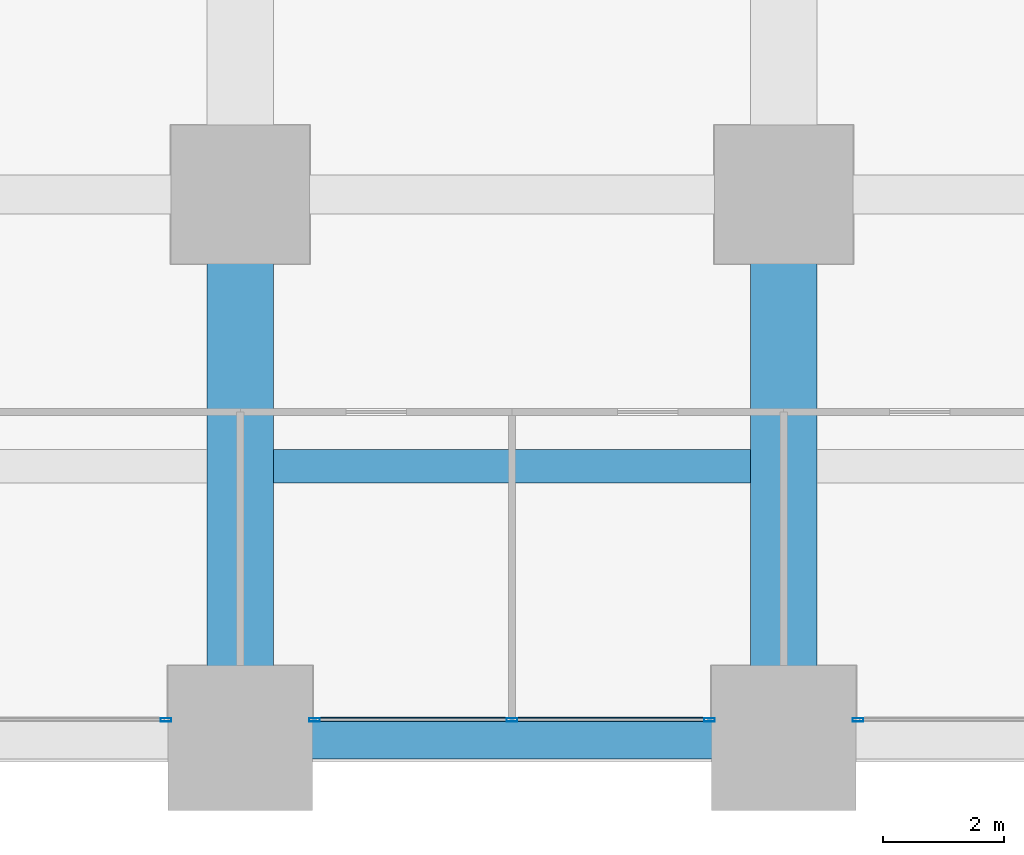
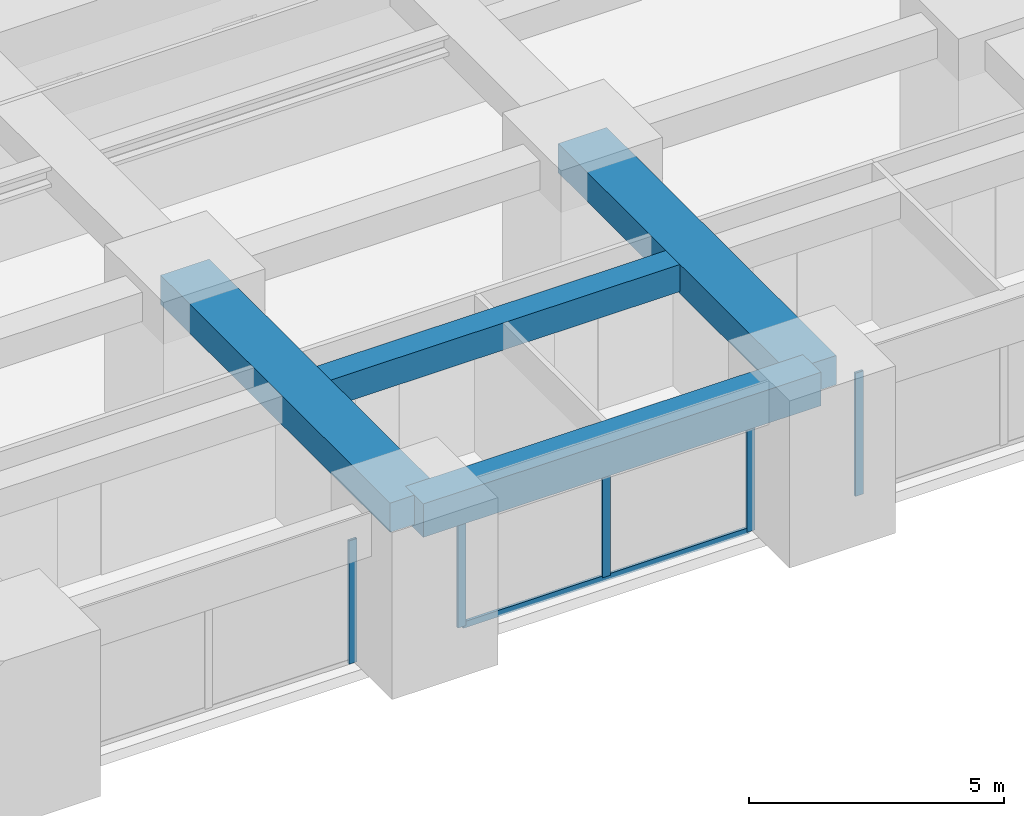
# One storey, part 13 of 44: 6 members, 4 beams, 3 elements without a shape of their own.
"""IFC4 building model written with IfcOpenShell, lengths in metres."""

from ifc_helpers import new_model, si_unit, direction, frame, origin, origin_2d, place, context, subcontext, project, spatial, rectangle, hollow_rectangle, extrude, material, material_profile, profile_set, type_object, element, aggregate, save


model = new_model("IFC4")

# Units and contexts
model_context = context("Model", 3, precision=1e-05, world=origin(), true_north=direction((0.0, 1.0)))
body_context = subcontext(model_context, "Body", "Model", "MODEL_VIEW")
ifc_project = project(units=[si_unit("LENGTHUNIT", "METRE"), si_unit("AREAUNIT", "SQUARE_METRE"), si_unit("VOLUMEUNIT", "CUBIC_METRE"), si_unit("PLANEANGLEUNIT", "RADIAN"), si_unit("MASSUNIT", "GRAM", prefix="KILO")], contexts=[model_context])

# Site, building, storey
site_placement = place(None, origin())
site = spatial("IfcSite", under=ifc_project, at=site_placement, CompositionType="ELEMENT")
building_placement = place(site_placement, origin())
building = spatial("IfcBuilding", under=site, at=building_placement, Name="Zorevar Civic Tower", CompositionType="ELEMENT")
storey_placement = place(building_placement, frame((0.0, 0.0, 43.800048828125)))
storey = spatial("IfcBuildingStorey", under=building, at=storey_placement, Name="L10", CompositionType="ELEMENT", Elevation=43.800048828125)

# Beams
ifc_material_1 = material(Name="Concrete C50/60", Category="concrete")
ifc_material_profile_1 = material_profile(ifc_material_1, rectangle(XDim=1.10009765625, YDim=0.699951171875, at=origin_2d()), Name="RC 1100x700")
ifc_profile_set_1 = profile_set([ifc_material_profile_1], Name="Concrete C50/60")
beam_type_1 = type_object("IfcBeamType", Name="Beam RC 1100x700", PredefinedType="BEAM", material=ifc_profile_set_1)
for number, where, z_axis, x_axis, name in (
    (1, (36.0, 0.0, 3.39990234375), (0.0, 1.0, 0.0), (-1.0, 0.0, 0.0), "Girder L11"),
    (2, (45.0, 0.0, 3.39990234375), (0.0, 1.0, 0.0), (-1.0, 0.0, 0.0), "Girder L11"),
):
    element("IfcBeam", number, at=place(storey_placement, frame(where, z_axis=z_axis, x_axis=x_axis)), inside=storey, type_object=beam_type_1, Name=name, PredefinedType="BEAM", context=body_context, shape_type="SweptSolid", body=[
        extrude(rectangle(XDim=1.10009765625, YDim=0.699951171875, at=origin_2d()), origin(), (0.0, 0.0, 1.0), 9.0),
    ])
ifc_material_2 = material(Name="Concrete C50/60", Category="concrete")
ifc_material_profile_2 = material_profile(ifc_material_2, rectangle(XDim=0.550048828125, YDim=0.64990234375, at=origin_2d()), Name="RC 550x650")
ifc_profile_set_2 = profile_set([ifc_material_profile_2], Name="Concrete C50/60")
beam_type_2 = type_object("IfcBeamType", Name="Beam RC 550x650", PredefinedType="BEAM", material=ifc_profile_set_2)
beam_1_placement = place(storey_placement, frame((36.550048828125, 4.5, 3.425048828125), z_axis=(1.0, 0.0, 0.0), x_axis=(0.0, 1.0, 0.0)))
element("IfcBeam", 3, at=beam_1_placement, inside=storey, type_object=beam_type_2, Name="Secondary beam L11", PredefinedType="BEAM", context=body_context, shape_type="SweptSolid", body=[
    extrude(rectangle(XDim=0.550048828125, YDim=0.64990234375, at=origin_2d()), origin(), (0.0, 0.0, 1.0), 7.89990234375),
])

# Curtain wall, member
ifc_material_3 = material(Name="Dark grey solar-control glass in black aluminium frame", Category="aluminium")
curtain_wall_type = type_object("IfcCurtainWallType", Name="Curtain wall CW2 low zone", PredefinedType="NOTDEFINED", material=ifc_material_3)
curtain_wall_1_placement = place(storey_placement, origin())
curtain_wall_1 = element("IfcCurtainWall", 4, at=curtain_wall_1_placement, inside=storey, type_object=curtain_wall_type, Name="CW2 L10", PredefinedType="NOTDEFINED")
ifc_material_4 = material(Name="Aluminium, black anodised", Category="aluminium")
ifc_material_profile_3 = material_profile(ifc_material_4, hollow_rectangle(XDim=0.06005859375, YDim=0.179931640625, WallThickness=0.00390625, at=origin_2d()), Name="AL 180x60x4")
ifc_profile_set_3 = profile_set([ifc_material_profile_3], Name="Aluminium, black anodised")
member_type_1 = type_object("IfcMemberType", Name="CW2 mullion AL 180x60x4", PredefinedType="MULLION", material=ifc_profile_set_3)
member_1_placement = place(storey_placement, frame((34.77001953125, 0.300048828125, 0.0), z_axis=(0.0, 0.0, 1.0), x_axis=(0.0, 1.0, 0.0)))
member_1 = element("IfcMember", 5, at=member_1_placement, type_object=member_type_1, Name="CW2 mullion 3", PredefinedType="MULLION", context=body_context, shape_type="SweptSolid", body=[
    extrude(hollow_rectangle(XDim=0.06005859375, YDim=0.179931640625, WallThickness=0.00390625, at=origin_2d()), origin(), (0.0, 0.0, 1.0), 2.949951171875),
])
aggregate(curtain_wall_1, [member_1])

# Curtain wall, members
curtain_wall_2_placement = place(storey_placement, origin())
curtain_wall_2 = element("IfcCurtainWall", 6, at=curtain_wall_2_placement, inside=storey, type_object=curtain_wall_type, Name="CW2 L10", PredefinedType="NOTDEFINED")
member_2_placement = place(storey_placement, frame((37.22998046875, 0.300048828125, 0.0), z_axis=(0.0, 0.0, 1.0), x_axis=(0.0, 1.0, 0.0)))
member_2 = element("IfcMember", 7, at=member_2_placement, type_object=member_type_1, Name="CW2 mullion 1", PredefinedType="MULLION", context=body_context, shape_type="SweptSolid", body=[
    extrude(hollow_rectangle(XDim=0.06005859375, YDim=0.179931640625, WallThickness=0.00390625, at=origin_2d()), origin(), (0.0, 0.0, 1.0), 2.949951171875),
])
member_3_placement = place(storey_placement, frame((40.5, 0.300048828125, 0.06005859375), z_axis=(0.0, 0.0, 1.0), x_axis=(0.0, 1.0, 0.0)))
member_3 = element("IfcMember", 8, at=member_3_placement, type_object=member_type_1, Name="CW2 mullion 2", PredefinedType="MULLION", context=body_context, shape_type="SweptSolid", body=[
    extrude(hollow_rectangle(XDim=0.06005859375, YDim=0.179931640625, WallThickness=0.00390625, at=origin_2d()), origin(), (0.0, 0.0, 1.0), 2.889892578125),
])
member_4_placement = place(storey_placement, frame((43.77001953125, 0.300048828125, 0.0), z_axis=(0.0, 0.0, 1.0), x_axis=(0.0, 1.0, 0.0)))
member_4 = element("IfcMember", 9, at=member_4_placement, type_object=member_type_1, Name="CW2 mullion 3", PredefinedType="MULLION", context=body_context, shape_type="SweptSolid", body=[
    extrude(hollow_rectangle(XDim=0.06005859375, YDim=0.179931640625, WallThickness=0.00390625, at=origin_2d()), origin(), (0.0, 0.0, 1.0), 2.949951171875),
])

# Curtain wall, member
curtain_wall_3_placement = place(storey_placement, origin())
curtain_wall_3 = element("IfcCurtainWall", 10, at=curtain_wall_3_placement, inside=storey, type_object=curtain_wall_type, Name="CW2 L10", PredefinedType="NOTDEFINED")
member_5_placement = place(storey_placement, frame((46.22998046875, 0.300048828125, 0.0), z_axis=(0.0, 0.0, 1.0), x_axis=(0.0, 1.0, 0.0)))
member_5 = element("IfcMember", 11, at=member_5_placement, type_object=member_type_1, Name="CW2 mullion 1", PredefinedType="MULLION", context=body_context, shape_type="SweptSolid", body=[
    extrude(hollow_rectangle(XDim=0.06005859375, YDim=0.179931640625, WallThickness=0.00390625, at=origin_2d()), origin(), (0.0, 0.0, 1.0), 2.949951171875),
])
aggregate(curtain_wall_3, [member_5])

# Member
ifc_material_5 = material(Name="Aluminium, black anodised", Category="aluminium")
ifc_material_profile_4 = material_profile(ifc_material_5, hollow_rectangle(XDim=0.06005859375, YDim=0.14990234375, WallThickness=0.00390625, at=origin_2d()), Name="AL 150x60x4")
ifc_profile_set_4 = profile_set([ifc_material_profile_4], Name="Aluminium, black anodised")
member_type_2 = type_object("IfcMemberType", Name="CW2 transom AL 150x60x4", PredefinedType="USERDEFINED", material=ifc_profile_set_4)
member_6_placement = place(storey_placement, frame((37.260009765625, 0.300048828125, 0.030029296875), z_axis=(1.0, 0.0, 0.0), x_axis=(0.0, 1.0, 0.0)))
member_6 = element("IfcMember", 12, at=member_6_placement, type_object=member_type_2, Name="CW2 sill transom", ObjectType="TRANSOM", PredefinedType="USERDEFINED", context=body_context, shape_type="SweptSolid", body=[
    extrude(hollow_rectangle(XDim=0.06005859375, YDim=0.14990234375, WallThickness=0.00390625, at=origin_2d()), origin(), (0.0, 0.0, 1.0), 6.47998046875),
])

aggregate(curtain_wall_2, [member_2, member_3, member_4, member_6])

# Beam
ifc_material_6 = material(Name="Concrete C50/60", Category="concrete")
ifc_material_profile_5 = material_profile(ifc_material_6, rectangle(XDim=0.699951171875, YDim=0.800048828125, at=origin_2d()), Name="RC 700x800")
ifc_profile_set_5 = profile_set([ifc_material_profile_5], Name="Concrete C50/60")
beam_type_3 = type_object("IfcBeamType", Name="Edge beam RC 700x800", PredefinedType="SPANDREL", material=ifc_profile_set_5)
beam_2_placement = place(storey_placement, frame((36.0, 0.0, 3.349853515625), z_axis=(1.0, 0.0, 0.0), x_axis=(0.0, 1.0, 0.0)))
element("IfcBeam", 13, at=beam_2_placement, inside=storey, type_object=beam_type_3, Name="Edge beam L11", PredefinedType="SPANDREL", context=body_context, shape_type="SweptSolid", body=[
    extrude(rectangle(XDim=0.699951171875, YDim=0.800048828125, at=origin_2d()), origin(), (0.0, 0.0, 1.0), 9.0),
])

save(model, "model.ifc")
